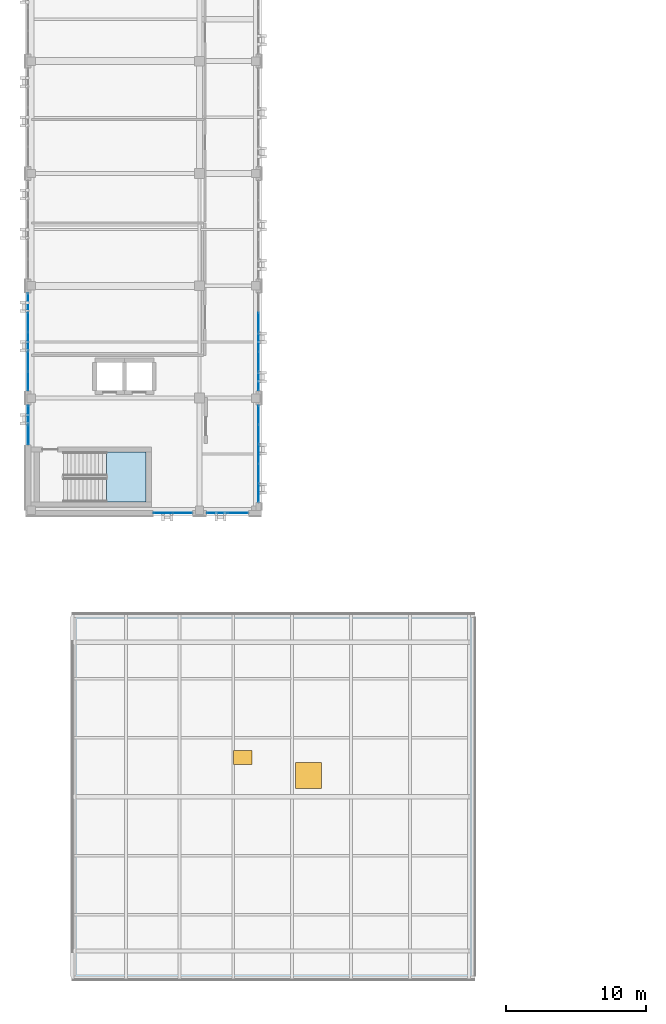
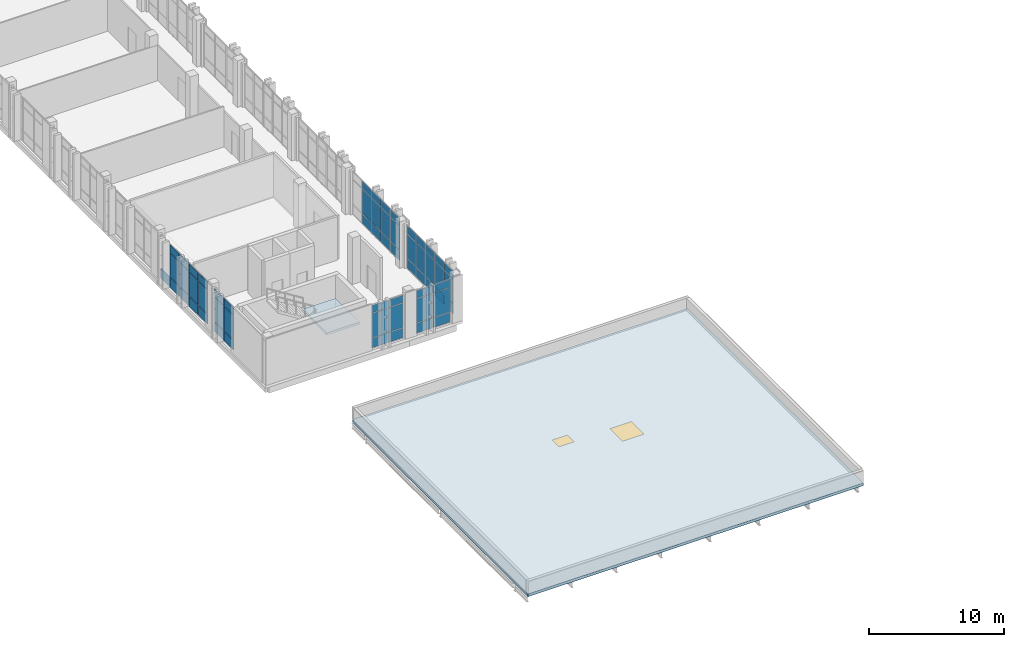
# One storey, part 58 of 90: 58 plates, 2 slabs, 1 door, 1 window, 2 openings, 7 elements without a shape of their own.
"""IFC4 building model written with IfcOpenShell, lengths in metres."""

from ifc_helpers import new_model, si_unit, direction, frame, origin, origin_2d, place, context, subcontext, project, spatial, polyline, rectangle, outline, extrude, material, layer, layer_set, type_object, element, fill, aggregate, save


model = new_model("IFC4")

# Units and contexts
model_context = context("Model", 3, precision=1e-05, world=origin(), true_north=direction((0.0, 1.0)))
body_context = subcontext(model_context, "Body", "Model", "MODEL_VIEW")
ifc_project = project(units=[si_unit("LENGTHUNIT", "METRE"), si_unit("AREAUNIT", "SQUARE_METRE"), si_unit("VOLUMEUNIT", "CUBIC_METRE"), si_unit("PLANEANGLEUNIT", "RADIAN"), si_unit("MASSUNIT", "GRAM", prefix="KILO")], contexts=[model_context])

# Site, building, storey
site_placement = place(None, origin())
site = spatial("IfcSite", under=ifc_project, at=site_placement, CompositionType="ELEMENT")
building_placement = place(site_placement, origin())
building = spatial("IfcBuilding", under=site, at=building_placement, Name="Qalavern Law Courts", CompositionType="ELEMENT")
storey_placement = place(building_placement, frame((0.0, 0.0, 22.800048828125)))
storey = spatial("IfcBuildingStorey", under=building, at=storey_placement, Name="L05", CompositionType="ELEMENT", Elevation=22.800048828125)

# Curtain wall, plates
ifc_material_1 = material(Name="Anodised aluminium and insulated glazing", Category="aluminium")
ifc_layer_1 = layer(ifc_material_1, 0.159912109375)
ifc_layer_set_1 = layer_set([ifc_layer_1], Name="Anodised aluminium and insulated glazing")
curtain_wall_type = type_object("IfcCurtainWallType", Name="ENV-CW-CHAMB", PredefinedType="USERDEFINED", material=ifc_layer_set_1)
curtain_wall_1_placement = place(storey_placement, origin())
curtain_wall_1 = element("IfcCurtainWall", 1, at=curtain_wall_1_placement, inside=storey, type_object=curtain_wall_type, Name="V3 unitised curtain wall L05 south 1", ObjectType="UNITISED CURTAIN WALL", PredefinedType="USERDEFINED")
ifc_material_2 = material(Name="Insulated low-E acoustic glazing", Category="glass")
ifc_layer_2 = layer(ifc_material_2, 0.028076171875)
ifc_layer_set_2 = layer_set([ifc_layer_2], Name="Insulated low-E acoustic glazing")
plate_type_1 = type_object("IfcPlateType", Name="ENV-CWP-28", PredefinedType="CURTAIN_PANEL", material=ifc_layer_set_2)
plate_1_placement = place(storey_placement, frame((11.81201171875, 41.21240234375, 0.048095703125), z_axis=(0.0, 0.0, 1.0), x_axis=(1.0, 0.0, 0.0)))
plate_1 = element("IfcPlate", 2, at=plate_1_placement, type_object=plate_type_1, Name="CW-04 panel 1.1", PredefinedType="CURTAIN_PANEL", context=body_context, shape_type="SweptSolid", body=[
    extrude(rectangle(XDim=1.327880859375, YDim=0.028076171875, at=origin_2d()), origin(), (0.0, 0.0, 1.0), 0.8779296875),
])
plate_2_placement = place(storey_placement, frame((11.81201171875, 41.21240234375, 0.97412109375), z_axis=(0.0, 0.0, 1.0), x_axis=(1.0, 0.0, 0.0)))
plate_2 = element("IfcPlate", 3, at=plate_2_placement, type_object=plate_type_1, Name="CW-04 panel 1.2", PredefinedType="CURTAIN_PANEL", context=body_context, shape_type="SweptSolid", body=[
    extrude(rectangle(XDim=1.327880859375, YDim=0.028076171875, at=origin_2d()), origin(), (0.0, 0.0, 1.0), 2.181884765625),
])
plate_3_placement = place(storey_placement, frame((11.81201171875, 41.21240234375, 3.2041015625), z_axis=(0.0, 0.0, 1.0), x_axis=(1.0, 0.0, 0.0)))
plate_3 = element("IfcPlate", 4, at=plate_3_placement, type_object=plate_type_1, Name="CW-04 panel 1.3", PredefinedType="CURTAIN_PANEL", context=body_context, shape_type="SweptSolid", body=[
    extrude(rectangle(XDim=1.327880859375, YDim=0.028076171875, at=origin_2d()), origin(), (0.0, 0.0, 1.0), 0.677978515625),
])
plate_4_placement = place(storey_placement, frame((13.18798828125, 41.21240234375, 0.048095703125), z_axis=(0.0, 0.0, 1.0), x_axis=(1.0, 0.0, 0.0)))
plate_4 = element("IfcPlate", 5, at=plate_4_placement, type_object=plate_type_1, Name="CW-04 panel 2.1", PredefinedType="CURTAIN_PANEL", context=body_context, shape_type="SweptSolid", body=[
    extrude(rectangle(XDim=1.327880859375, YDim=0.028076171875, at=origin_2d()), origin(), (0.0, 0.0, 1.0), 0.8779296875),
])
plate_5_placement = place(storey_placement, frame((13.18798828125, 41.21240234375, 0.97412109375), z_axis=(0.0, 0.0, 1.0), x_axis=(1.0, 0.0, 0.0)))
plate_5 = element("IfcPlate", 6, at=plate_5_placement, type_object=plate_type_1, Name="CW-04 panel 2.2", PredefinedType="CURTAIN_PANEL", context=body_context, shape_type="SweptSolid", body=[
    extrude(rectangle(XDim=1.327880859375, YDim=0.028076171875, at=origin_2d()), origin(), (0.0, 0.0, 1.0), 2.181884765625),
])
plate_6_placement = place(storey_placement, frame((13.18798828125, 41.21240234375, 3.2041015625), z_axis=(0.0, 0.0, 1.0), x_axis=(1.0, 0.0, 0.0)))
plate_6 = element("IfcPlate", 7, at=plate_6_placement, type_object=plate_type_1, Name="CW-04 panel 2.3", PredefinedType="CURTAIN_PANEL", context=body_context, shape_type="SweptSolid", body=[
    extrude(rectangle(XDim=1.327880859375, YDim=0.028076171875, at=origin_2d()), origin(), (0.0, 0.0, 1.0), 0.677978515625),
])
aggregate(curtain_wall_1, [plate_1, plate_2, plate_3, plate_4, plate_5, plate_6])

curtain_wall_2_placement = place(storey_placement, origin())
curtain_wall_2 = element("IfcCurtainWall", 8, at=curtain_wall_2_placement, inside=storey, type_object=curtain_wall_type, Name="V3 unitised curtain wall L05 east 1", ObjectType="UNITISED CURTAIN WALL", PredefinedType="USERDEFINED")
plate_7_placement = place(storey_placement, frame((18.607421875, 42.656982421875, 0.048095703125), z_axis=(0.0, 0.0, 1.0), x_axis=(0.0, 1.0, 0.0)))
plate_7 = element("IfcPlate", 9, at=plate_7_placement, type_object=plate_type_1, Name="CW-04 panel 1.1", PredefinedType="CURTAIN_PANEL", context=body_context, shape_type="SweptSolid", body=[
    extrude(rectangle(XDim=1.318115234375, YDim=0.028076171875, at=origin_2d()), origin(), (0.0, 0.0, 1.0), 0.8779296875),
])
plate_8_placement = place(storey_placement, frame((18.607421875, 42.656982421875, 0.97412109375), z_axis=(0.0, 0.0, 1.0), x_axis=(0.0, 1.0, 0.0)))
plate_8 = element("IfcPlate", 10, at=plate_8_placement, type_object=plate_type_1, Name="CW-04 panel 1.2", PredefinedType="CURTAIN_PANEL", context=body_context, shape_type="SweptSolid", body=[
    extrude(rectangle(XDim=1.318115234375, YDim=0.028076171875, at=origin_2d()), origin(), (0.0, 0.0, 1.0), 2.181884765625),
])
plate_9_placement = place(storey_placement, frame((18.607421875, 42.656982421875, 3.2041015625), z_axis=(0.0, 0.0, 1.0), x_axis=(0.0, 1.0, 0.0)))
plate_9 = element("IfcPlate", 11, at=plate_9_placement, type_object=plate_type_1, Name="CW-04 panel 1.3", PredefinedType="CURTAIN_PANEL", context=body_context, shape_type="SweptSolid", body=[
    extrude(rectangle(XDim=1.318115234375, YDim=0.028076171875, at=origin_2d()), origin(), (0.0, 0.0, 1.0), 0.677978515625),
])
plate_10_placement = place(storey_placement, frame((18.607421875, 44.034912109375, 0.048095703125), z_axis=(0.0, 0.0, 1.0), x_axis=(0.0, 1.0, 0.0)))
plate_10 = element("IfcPlate", 12, at=plate_10_placement, type_object=plate_type_1, Name="CW-04 panel 2.1", PredefinedType="CURTAIN_PANEL", context=body_context, shape_type="SweptSolid", body=[
    extrude(rectangle(XDim=1.342041015625, YDim=0.028076171875, at=origin_2d()), origin(), (0.0, 0.0, 1.0), 0.8779296875),
])
plate_11_placement = place(storey_placement, frame((18.607421875, 44.034912109375, 0.97412109375), z_axis=(0.0, 0.0, 1.0), x_axis=(0.0, 1.0, 0.0)))
plate_11 = element("IfcPlate", 13, at=plate_11_placement, type_object=plate_type_1, Name="CW-04 panel 2.2", PredefinedType="CURTAIN_PANEL", context=body_context, shape_type="SweptSolid", body=[
    extrude(rectangle(XDim=1.342041015625, YDim=0.028076171875, at=origin_2d()), origin(), (0.0, 0.0, 1.0), 2.181884765625),
])
plate_12_placement = place(storey_placement, frame((18.607421875, 44.034912109375, 3.2041015625), z_axis=(0.0, 0.0, 1.0), x_axis=(0.0, 1.0, 0.0)))
plate_12 = element("IfcPlate", 14, at=plate_12_placement, type_object=plate_type_1, Name="CW-04 panel 2.3", PredefinedType="CURTAIN_PANEL", context=body_context, shape_type="SweptSolid", body=[
    extrude(rectangle(XDim=1.342041015625, YDim=0.028076171875, at=origin_2d()), origin(), (0.0, 0.0, 1.0), 0.677978515625),
])
plate_13_placement = place(storey_placement, frame((18.607421875, 45.425048828125, 0.048095703125), z_axis=(0.0, 0.0, 1.0), x_axis=(0.0, 1.0, 0.0)))
plate_13 = element("IfcPlate", 15, at=plate_13_placement, type_object=plate_type_1, Name="CW-04 panel 3.1", PredefinedType="CURTAIN_PANEL", context=body_context, shape_type="SweptSolid", body=[
    extrude(rectangle(XDim=1.342041015625, YDim=0.028076171875, at=origin_2d()), origin(), (0.0, 0.0, 1.0), 0.8779296875),
])
plate_14_placement = place(storey_placement, frame((18.607421875, 45.425048828125, 0.97412109375), z_axis=(0.0, 0.0, 1.0), x_axis=(0.0, 1.0, 0.0)))
plate_14 = element("IfcPlate", 16, at=plate_14_placement, type_object=plate_type_1, Name="CW-04 panel 3.2", PredefinedType="CURTAIN_PANEL", context=body_context, shape_type="SweptSolid", body=[
    extrude(rectangle(XDim=1.342041015625, YDim=0.028076171875, at=origin_2d()), origin(), (0.0, 0.0, 1.0), 2.181884765625),
])
plate_15_placement = place(storey_placement, frame((18.607421875, 45.425048828125, 3.2041015625), z_axis=(0.0, 0.0, 1.0), x_axis=(0.0, 1.0, 0.0)))
plate_15 = element("IfcPlate", 17, at=plate_15_placement, type_object=plate_type_1, Name="CW-04 panel 3.3", PredefinedType="CURTAIN_PANEL", context=body_context, shape_type="SweptSolid", body=[
    extrude(rectangle(XDim=1.342041015625, YDim=0.028076171875, at=origin_2d()), origin(), (0.0, 0.0, 1.0), 0.677978515625),
])
plate_16_placement = place(storey_placement, frame((18.607421875, 46.81494140625, 0.048095703125), z_axis=(0.0, 0.0, 1.0), x_axis=(0.0, 1.0, 0.0)))
plate_16 = element("IfcPlate", 18, at=plate_16_placement, type_object=plate_type_1, Name="CW-04 panel 4.1", PredefinedType="CURTAIN_PANEL", context=body_context, shape_type="SweptSolid", body=[
    extrude(rectangle(XDim=1.342041015625, YDim=0.028076171875, at=origin_2d()), origin(), (0.0, 0.0, 1.0), 0.8779296875),
])
plate_17_placement = place(storey_placement, frame((18.607421875, 46.81494140625, 0.97412109375), z_axis=(0.0, 0.0, 1.0), x_axis=(0.0, 1.0, 0.0)))
plate_17 = element("IfcPlate", 19, at=plate_17_placement, type_object=plate_type_1, Name="CW-04 panel 4.2", PredefinedType="CURTAIN_PANEL", context=body_context, shape_type="SweptSolid", body=[
    extrude(rectangle(XDim=1.342041015625, YDim=0.028076171875, at=origin_2d()), origin(), (0.0, 0.0, 1.0), 2.181884765625),
])
plate_18_placement = place(storey_placement, frame((18.607421875, 46.81494140625, 3.2041015625), z_axis=(0.0, 0.0, 1.0), x_axis=(0.0, 1.0, 0.0)))
plate_18 = element("IfcPlate", 20, at=plate_18_placement, type_object=plate_type_1, Name="CW-04 panel 4.3", PredefinedType="CURTAIN_PANEL", context=body_context, shape_type="SweptSolid", body=[
    extrude(rectangle(XDim=1.342041015625, YDim=0.028076171875, at=origin_2d()), origin(), (0.0, 0.0, 1.0), 0.677978515625),
])
plate_19_placement = place(storey_placement, frame((18.607421875, 48.193115234375, 0.048095703125), z_axis=(0.0, 0.0, 1.0), x_axis=(0.0, 1.0, 0.0)))
plate_19 = element("IfcPlate", 21, at=plate_19_placement, type_object=plate_type_1, Name="CW-04 panel 5.1", PredefinedType="CURTAIN_PANEL", context=body_context, shape_type="SweptSolid", body=[
    extrude(rectangle(XDim=1.318115234375, YDim=0.028076171875, at=origin_2d()), origin(), (0.0, 0.0, 1.0), 0.8779296875),
])
plate_20_placement = place(storey_placement, frame((18.607421875, 48.193115234375, 0.97412109375), z_axis=(0.0, 0.0, 1.0), x_axis=(0.0, 1.0, 0.0)))
plate_20 = element("IfcPlate", 22, at=plate_20_placement, type_object=plate_type_1, Name="CW-04 panel 5.2", PredefinedType="CURTAIN_PANEL", context=body_context, shape_type="SweptSolid", body=[
    extrude(rectangle(XDim=1.318115234375, YDim=0.028076171875, at=origin_2d()), origin(), (0.0, 0.0, 1.0), 2.181884765625),
])
plate_21_placement = place(storey_placement, frame((18.607421875, 48.193115234375, 3.2041015625), z_axis=(0.0, 0.0, 1.0), x_axis=(0.0, 1.0, 0.0)))
plate_21 = element("IfcPlate", 23, at=plate_21_placement, type_object=plate_type_1, Name="CW-04 panel 5.3", PredefinedType="CURTAIN_PANEL", context=body_context, shape_type="SweptSolid", body=[
    extrude(rectangle(XDim=1.318115234375, YDim=0.028076171875, at=origin_2d()), origin(), (0.0, 0.0, 1.0), 0.677978515625),
])
aggregate(curtain_wall_2, [plate_7, plate_8, plate_9, plate_10, plate_11, plate_12, plate_13, plate_14, plate_15, plate_16, plate_17, plate_18, plate_19, plate_20, plate_21])

curtain_wall_3_placement = place(storey_placement, origin())
curtain_wall_3 = element("IfcCurtainWall", 24, at=curtain_wall_3_placement, inside=storey, type_object=curtain_wall_type, Name="V3 unitised curtain wall L05 south 2", ObjectType="UNITISED CURTAIN WALL", PredefinedType="USERDEFINED")
ifc_layer_3 = layer(ifc_material_2, 0.031982421875)
ifc_layer_set_3 = layer_set([ifc_layer_3], Name="Insulated low-E acoustic glazing")
plate_type_2 = type_object("IfcPlateType", Name="ENV-CWP-32", PredefinedType="CURTAIN_PANEL", material=ifc_layer_set_3)
plate_22_placement = place(storey_placement, frame((15.662109375, 41.21240234375, 0.048095703125), z_axis=(0.0, 0.0, 1.0), x_axis=(1.0, 0.0, 0.0)))
plate_22 = element("IfcPlate", 25, at=plate_22_placement, type_object=plate_type_2, Name="CW-04 panel 1.1", PredefinedType="CURTAIN_PANEL", context=body_context, shape_type="SweptSolid", body=[
    extrude(rectangle(XDim=1.427978515625, YDim=0.031982421875, at=origin_2d()), origin(), (0.0, 0.0, 1.0), 0.8779296875),
])
plate_23_placement = place(storey_placement, frame((15.662109375, 41.21240234375, 0.97412109375), z_axis=(0.0, 0.0, 1.0), x_axis=(1.0, 0.0, 0.0)))
plate_23 = element("IfcPlate", 26, at=plate_23_placement, type_object=plate_type_2, Name="CW-04 panel 1.2", PredefinedType="CURTAIN_PANEL", context=body_context, shape_type="SweptSolid", body=[
    extrude(rectangle(XDim=1.427978515625, YDim=0.031982421875, at=origin_2d()), origin(), (0.0, 0.0, 1.0), 2.181884765625),
])
plate_24_placement = place(storey_placement, frame((15.662109375, 41.21240234375, 3.2041015625), z_axis=(0.0, 0.0, 1.0), x_axis=(1.0, 0.0, 0.0)))
plate_24 = element("IfcPlate", 27, at=plate_24_placement, type_object=plate_type_2, Name="CW-04 panel 1.3", PredefinedType="CURTAIN_PANEL", context=body_context, shape_type="SweptSolid", body=[
    extrude(rectangle(XDim=1.427978515625, YDim=0.031982421875, at=origin_2d()), origin(), (0.0, 0.0, 1.0), 0.677978515625),
])
plate_25_placement = place(storey_placement, frame((17.137939453125, 41.21240234375, 0.048095703125), z_axis=(0.0, 0.0, 1.0), x_axis=(1.0, 0.0, 0.0)))
plate_25 = element("IfcPlate", 28, at=plate_25_placement, type_object=plate_type_2, Name="CW-04 panel 2.1", PredefinedType="CURTAIN_PANEL", context=body_context, shape_type="SweptSolid", body=[
    extrude(rectangle(XDim=1.427978515625, YDim=0.031982421875, at=origin_2d()), origin(), (0.0, 0.0, 1.0), 0.8779296875),
])
plate_26_placement = place(storey_placement, frame((17.137939453125, 41.21240234375, 0.97412109375), z_axis=(0.0, 0.0, 1.0), x_axis=(1.0, 0.0, 0.0)))
plate_26 = element("IfcPlate", 29, at=plate_26_placement, type_object=plate_type_2, Name="CW-04 panel 2.2", PredefinedType="CURTAIN_PANEL", context=body_context, shape_type="SweptSolid", body=[
    extrude(rectangle(XDim=1.427978515625, YDim=0.031982421875, at=origin_2d()), origin(), (0.0, 0.0, 1.0), 2.181884765625),
])
plate_27_placement = place(storey_placement, frame((17.137939453125, 41.21240234375, 3.2041015625), z_axis=(0.0, 0.0, 1.0), x_axis=(1.0, 0.0, 0.0)))
plate_27 = element("IfcPlate", 30, at=plate_27_placement, type_object=plate_type_2, Name="CW-04 panel 2.3", PredefinedType="CURTAIN_PANEL", context=body_context, shape_type="SweptSolid", body=[
    extrude(rectangle(XDim=1.427978515625, YDim=0.031982421875, at=origin_2d()), origin(), (0.0, 0.0, 1.0), 0.677978515625),
])
aggregate(curtain_wall_3, [plate_22, plate_23, plate_24, plate_25, plate_26, plate_27])

curtain_wall_4_placement = place(storey_placement, origin())
curtain_wall_4 = element("IfcCurtainWall", 31, at=curtain_wall_4_placement, inside=storey, type_object=curtain_wall_type, Name="V3 unitised curtain wall L05 east 2", ObjectType="UNITISED CURTAIN WALL", PredefinedType="USERDEFINED")
plate_28_placement = place(storey_placement, frame((18.607421875, 50.612060546875, 0.048095703125), z_axis=(0.0, 0.0, 1.0), x_axis=(0.0, 1.0, 0.0)))
plate_28 = element("IfcPlate", 32, at=plate_28_placement, type_object=plate_type_2, Name="CW-04 panel 1.1", PredefinedType="CURTAIN_PANEL", context=body_context, shape_type="SweptSolid", body=[
    extrude(rectangle(XDim=1.327880859375, YDim=0.031982421875, at=origin_2d()), origin(), (0.0, 0.0, 1.0), 0.8779296875),
])
plate_29_placement = place(storey_placement, frame((18.607421875, 50.612060546875, 0.97412109375), z_axis=(0.0, 0.0, 1.0), x_axis=(0.0, 1.0, 0.0)))
plate_29 = element("IfcPlate", 33, at=plate_29_placement, type_object=plate_type_2, Name="CW-04 panel 1.2", PredefinedType="CURTAIN_PANEL", context=body_context, shape_type="SweptSolid", body=[
    extrude(rectangle(XDim=1.327880859375, YDim=0.031982421875, at=origin_2d()), origin(), (0.0, 0.0, 1.0), 2.181884765625),
])
plate_30_placement = place(storey_placement, frame((18.607421875, 50.612060546875, 3.2041015625), z_axis=(0.0, 0.0, 1.0), x_axis=(0.0, 1.0, 0.0)))
plate_30 = element("IfcPlate", 34, at=plate_30_placement, type_object=plate_type_2, Name="CW-04 panel 1.3", PredefinedType="CURTAIN_PANEL", context=body_context, shape_type="SweptSolid", body=[
    extrude(rectangle(XDim=1.327880859375, YDim=0.031982421875, at=origin_2d()), origin(), (0.0, 0.0, 1.0), 0.677978515625),
])
plate_31_placement = place(storey_placement, frame((18.607421875, 52.0, 0.048095703125), z_axis=(0.0, 0.0, 1.0), x_axis=(0.0, 1.0, 0.0)))
plate_31 = element("IfcPlate", 35, at=plate_31_placement, type_object=plate_type_2, Name="CW-04 panel 2.1", PredefinedType="CURTAIN_PANEL", context=body_context, shape_type="SweptSolid", body=[
    extrude(rectangle(XDim=1.35205078125, YDim=0.031982421875, at=origin_2d()), origin(), (0.0, 0.0, 1.0), 0.8779296875),
])
plate_32_placement = place(storey_placement, frame((18.607421875, 52.0, 0.97412109375), z_axis=(0.0, 0.0, 1.0), x_axis=(0.0, 1.0, 0.0)))
plate_32 = element("IfcPlate", 36, at=plate_32_placement, type_object=plate_type_2, Name="CW-04 panel 2.2", PredefinedType="CURTAIN_PANEL", context=body_context, shape_type="SweptSolid", body=[
    extrude(rectangle(XDim=1.35205078125, YDim=0.031982421875, at=origin_2d()), origin(), (0.0, 0.0, 1.0), 2.181884765625),
])
plate_33_placement = place(storey_placement, frame((18.607421875, 52.0, 3.2041015625), z_axis=(0.0, 0.0, 1.0), x_axis=(0.0, 1.0, 0.0)))
plate_33 = element("IfcPlate", 37, at=plate_33_placement, type_object=plate_type_2, Name="CW-04 panel 2.3", PredefinedType="CURTAIN_PANEL", context=body_context, shape_type="SweptSolid", body=[
    extrude(rectangle(XDim=1.35205078125, YDim=0.031982421875, at=origin_2d()), origin(), (0.0, 0.0, 1.0), 0.677978515625),
])
plate_34_placement = place(storey_placement, frame((18.607421875, 53.39990234375, 0.048095703125), z_axis=(0.0, 0.0, 1.0), x_axis=(0.0, 1.0, 0.0)))
plate_34 = element("IfcPlate", 38, at=plate_34_placement, type_object=plate_type_2, Name="CW-04 panel 3.1", PredefinedType="CURTAIN_PANEL", context=body_context, shape_type="SweptSolid", body=[
    extrude(rectangle(XDim=1.35205078125, YDim=0.031982421875, at=origin_2d()), origin(), (0.0, 0.0, 1.0), 0.8779296875),
])
plate_35_placement = place(storey_placement, frame((18.607421875, 53.39990234375, 0.97412109375), z_axis=(0.0, 0.0, 1.0), x_axis=(0.0, 1.0, 0.0)))
plate_35 = element("IfcPlate", 39, at=plate_35_placement, type_object=plate_type_2, Name="CW-04 panel 3.2", PredefinedType="CURTAIN_PANEL", context=body_context, shape_type="SweptSolid", body=[
    extrude(rectangle(XDim=1.35205078125, YDim=0.031982421875, at=origin_2d()), origin(), (0.0, 0.0, 1.0), 2.181884765625),
])
plate_36_placement = place(storey_placement, frame((18.607421875, 53.39990234375, 3.2041015625), z_axis=(0.0, 0.0, 1.0), x_axis=(0.0, 1.0, 0.0)))
plate_36 = element("IfcPlate", 40, at=plate_36_placement, type_object=plate_type_2, Name="CW-04 panel 3.3", PredefinedType="CURTAIN_PANEL", context=body_context, shape_type="SweptSolid", body=[
    extrude(rectangle(XDim=1.35205078125, YDim=0.031982421875, at=origin_2d()), origin(), (0.0, 0.0, 1.0), 0.677978515625),
])
plate_37_placement = place(storey_placement, frame((18.607421875, 54.800048828125, 0.048095703125), z_axis=(0.0, 0.0, 1.0), x_axis=(0.0, 1.0, 0.0)))
plate_37 = element("IfcPlate", 41, at=plate_37_placement, type_object=plate_type_2, Name="CW-04 panel 4.1", PredefinedType="CURTAIN_PANEL", context=body_context, shape_type="SweptSolid", body=[
    extrude(rectangle(XDim=1.35205078125, YDim=0.031982421875, at=origin_2d()), origin(), (0.0, 0.0, 1.0), 0.8779296875),
])
plate_38_placement = place(storey_placement, frame((18.607421875, 54.800048828125, 0.97412109375), z_axis=(0.0, 0.0, 1.0), x_axis=(0.0, 1.0, 0.0)))
plate_38 = element("IfcPlate", 42, at=plate_38_placement, type_object=plate_type_2, Name="CW-04 panel 4.2", PredefinedType="CURTAIN_PANEL", context=body_context, shape_type="SweptSolid", body=[
    extrude(rectangle(XDim=1.35205078125, YDim=0.031982421875, at=origin_2d()), origin(), (0.0, 0.0, 1.0), 2.181884765625),
])
plate_39_placement = place(storey_placement, frame((18.607421875, 54.800048828125, 3.2041015625), z_axis=(0.0, 0.0, 1.0), x_axis=(0.0, 1.0, 0.0)))
plate_39 = element("IfcPlate", 43, at=plate_39_placement, type_object=plate_type_2, Name="CW-04 panel 4.3", PredefinedType="CURTAIN_PANEL", context=body_context, shape_type="SweptSolid", body=[
    extrude(rectangle(XDim=1.35205078125, YDim=0.031982421875, at=origin_2d()), origin(), (0.0, 0.0, 1.0), 0.677978515625),
])
aggregate(curtain_wall_4, [plate_28, plate_29, plate_30, plate_31, plate_32, plate_33, plate_34, plate_35, plate_36, plate_37, plate_38, plate_39])

curtain_wall_5_placement = place(storey_placement, origin())
curtain_wall_5 = element("IfcCurtainWall", 44, at=curtain_wall_5_placement, inside=storey, type_object=curtain_wall_type, Name="V3 unitised curtain wall L05 west 6", ObjectType="UNITISED CURTAIN WALL", PredefinedType="USERDEFINED")
ifc_layer_4 = layer(ifc_material_2, 0.048095703125)
ifc_layer_set_4 = layer_set([ifc_layer_4], Name="Insulated low-E acoustic glazing")
plate_type_3 = type_object("IfcPlateType", Name="ENV-CWP-48", PredefinedType="CURTAIN_PANEL", material=ifc_layer_set_4)
plate_40_placement = place(storey_placement, frame((2.1923828125, 56.18798828125, 0.048095703125), z_axis=(0.0, 0.0, 1.0), x_axis=(0.0, -1.0, 0.0)))
plate_40 = element("IfcPlate", 45, at=plate_40_placement, type_object=plate_type_3, Name="CW-04 panel 1.1", PredefinedType="CURTAIN_PANEL", context=body_context, shape_type="SweptSolid", body=[
    extrude(rectangle(XDim=1.327880859375, YDim=0.048095703125, at=origin_2d()), origin(), (0.0, 0.0, 1.0), 0.8779296875),
])
plate_41_placement = place(storey_placement, frame((2.1923828125, 54.800048828125, 0.048095703125), z_axis=(0.0, 0.0, 1.0), x_axis=(0.0, -1.0, 0.0)))
plate_41 = element("IfcPlate", 46, at=plate_41_placement, type_object=plate_type_3, Name="CW-04 panel 2.1", PredefinedType="CURTAIN_PANEL", context=body_context, shape_type="SweptSolid", body=[
    extrude(rectangle(XDim=1.35205078125, YDim=0.048095703125, at=origin_2d()), origin(), (0.0, 0.0, 1.0), 0.8779296875),
])
plate_42_placement = place(storey_placement, frame((2.1923828125, 54.800048828125, 0.97412109375), z_axis=(0.0, 0.0, 1.0), x_axis=(0.0, -1.0, 0.0)))
plate_42 = element("IfcPlate", 47, at=plate_42_placement, type_object=plate_type_3, Name="CW-04 panel 2.2", PredefinedType="CURTAIN_PANEL", context=body_context, shape_type="SweptSolid", body=[
    extrude(rectangle(XDim=1.35205078125, YDim=0.048095703125, at=origin_2d()), origin(), (0.0, 0.0, 1.0), 2.181884765625),
])
plate_43_placement = place(storey_placement, frame((2.1923828125, 54.800048828125, 3.2041015625), z_axis=(0.0, 0.0, 1.0), x_axis=(0.0, -1.0, 0.0)))
plate_43 = element("IfcPlate", 48, at=plate_43_placement, type_object=plate_type_3, Name="CW-04 panel 2.3", PredefinedType="CURTAIN_PANEL", context=body_context, shape_type="SweptSolid", body=[
    extrude(rectangle(XDim=1.35205078125, YDim=0.048095703125, at=origin_2d()), origin(), (0.0, 0.0, 1.0), 0.677978515625),
])
plate_44_placement = place(storey_placement, frame((2.1923828125, 53.39990234375, 0.048095703125), z_axis=(0.0, 0.0, 1.0), x_axis=(0.0, -1.0, 0.0)))
plate_44 = element("IfcPlate", 49, at=plate_44_placement, type_object=plate_type_3, Name="CW-04 panel 3.1", PredefinedType="CURTAIN_PANEL", context=body_context, shape_type="SweptSolid", body=[
    extrude(rectangle(XDim=1.35205078125, YDim=0.048095703125, at=origin_2d()), origin(), (0.0, 0.0, 1.0), 0.8779296875),
])
plate_45_placement = place(storey_placement, frame((2.1923828125, 53.39990234375, 0.97412109375), z_axis=(0.0, 0.0, 1.0), x_axis=(0.0, -1.0, 0.0)))
plate_45 = element("IfcPlate", 50, at=plate_45_placement, type_object=plate_type_3, Name="CW-04 panel 3.2", PredefinedType="CURTAIN_PANEL", context=body_context, shape_type="SweptSolid", body=[
    extrude(rectangle(XDim=1.35205078125, YDim=0.048095703125, at=origin_2d()), origin(), (0.0, 0.0, 1.0), 2.181884765625),
])
plate_46_placement = place(storey_placement, frame((2.1923828125, 53.39990234375, 3.2041015625), z_axis=(0.0, 0.0, 1.0), x_axis=(0.0, -1.0, 0.0)))
plate_46 = element("IfcPlate", 51, at=plate_46_placement, type_object=plate_type_3, Name="CW-04 panel 3.3", PredefinedType="CURTAIN_PANEL", context=body_context, shape_type="SweptSolid", body=[
    extrude(rectangle(XDim=1.35205078125, YDim=0.048095703125, at=origin_2d()), origin(), (0.0, 0.0, 1.0), 0.677978515625),
])
plate_47_placement = place(storey_placement, frame((2.1923828125, 52.0, 0.048095703125), z_axis=(0.0, 0.0, 1.0), x_axis=(0.0, -1.0, 0.0)))
plate_47 = element("IfcPlate", 52, at=plate_47_placement, type_object=plate_type_3, Name="CW-04 panel 4.1", PredefinedType="CURTAIN_PANEL", context=body_context, shape_type="SweptSolid", body=[
    extrude(rectangle(XDim=1.35205078125, YDim=0.048095703125, at=origin_2d()), origin(), (0.0, 0.0, 1.0), 0.8779296875),
])
plate_48_placement = place(storey_placement, frame((2.1923828125, 52.0, 0.97412109375), z_axis=(0.0, 0.0, 1.0), x_axis=(0.0, -1.0, 0.0)))
plate_48 = element("IfcPlate", 53, at=plate_48_placement, type_object=plate_type_3, Name="CW-04 panel 4.2", PredefinedType="CURTAIN_PANEL", context=body_context, shape_type="SweptSolid", body=[
    extrude(rectangle(XDim=1.35205078125, YDim=0.048095703125, at=origin_2d()), origin(), (0.0, 0.0, 1.0), 2.181884765625),
])
plate_49_placement = place(storey_placement, frame((2.1923828125, 52.0, 3.2041015625), z_axis=(0.0, 0.0, 1.0), x_axis=(0.0, -1.0, 0.0)))
plate_49 = element("IfcPlate", 54, at=plate_49_placement, type_object=plate_type_3, Name="CW-04 panel 4.3", PredefinedType="CURTAIN_PANEL", context=body_context, shape_type="SweptSolid", body=[
    extrude(rectangle(XDim=1.35205078125, YDim=0.048095703125, at=origin_2d()), origin(), (0.0, 0.0, 1.0), 0.677978515625),
])
plate_50_placement = place(storey_placement, frame((2.1923828125, 50.612060546875, 0.048095703125), z_axis=(0.0, 0.0, 1.0), x_axis=(0.0, -1.0, 0.0)))
plate_50 = element("IfcPlate", 55, at=plate_50_placement, type_object=plate_type_3, Name="CW-04 panel 5.1", PredefinedType="CURTAIN_PANEL", context=body_context, shape_type="SweptSolid", body=[
    extrude(rectangle(XDim=1.327880859375, YDim=0.048095703125, at=origin_2d()), origin(), (0.0, 0.0, 1.0), 0.8779296875),
])
plate_51_placement = place(storey_placement, frame((2.1923828125, 50.612060546875, 0.97412109375), z_axis=(0.0, 0.0, 1.0), x_axis=(0.0, -1.0, 0.0)))
plate_51 = element("IfcPlate", 56, at=plate_51_placement, type_object=plate_type_3, Name="CW-04 panel 5.2", PredefinedType="CURTAIN_PANEL", context=body_context, shape_type="SweptSolid", body=[
    extrude(rectangle(XDim=1.327880859375, YDim=0.048095703125, at=origin_2d()), origin(), (0.0, 0.0, 1.0), 2.181884765625),
])
plate_52_placement = place(storey_placement, frame((2.1923828125, 50.612060546875, 3.2041015625), z_axis=(0.0, 0.0, 1.0), x_axis=(0.0, -1.0, 0.0)))
plate_52 = element("IfcPlate", 57, at=plate_52_placement, type_object=plate_type_3, Name="CW-04 panel 5.3", PredefinedType="CURTAIN_PANEL", context=body_context, shape_type="SweptSolid", body=[
    extrude(rectangle(XDim=1.327880859375, YDim=0.048095703125, at=origin_2d()), origin(), (0.0, 0.0, 1.0), 0.677978515625),
])
aggregate(curtain_wall_5, [plate_40, plate_41, plate_42, plate_43, plate_44, plate_45, plate_46, plate_47, plate_48, plate_49, plate_50, plate_51, plate_52])

curtain_wall_6_placement = place(storey_placement, origin())
curtain_wall_6 = element("IfcCurtainWall", 58, at=curtain_wall_6_placement, inside=storey, type_object=curtain_wall_type, Name="V3 unitised curtain wall L05 west 7", ObjectType="UNITISED CURTAIN WALL", PredefinedType="USERDEFINED")
ifc_layer_5 = layer(ifc_material_2, 0.052001953125)
ifc_layer_set_5 = layer_set([ifc_layer_5], Name="Insulated low-E acoustic glazing")
plate_type_4 = type_object("IfcPlateType", Name="ENV-CWP-52", PredefinedType="CURTAIN_PANEL", material=ifc_layer_set_5)
plate_53_placement = place(storey_placement, frame((2.1923828125, 48.175537109375, 0.048095703125), z_axis=(0.0, 0.0, 1.0), x_axis=(0.0, -1.0, 0.0)))
plate_53 = element("IfcPlate", 59, at=plate_53_placement, type_object=plate_type_4, Name="CW-04 panel 1.1", PredefinedType="CURTAIN_PANEL", context=body_context, shape_type="SweptSolid", body=[
    extrude(rectangle(XDim=1.35302734375, YDim=0.052001953125, at=origin_2d()), origin(), (0.0, 0.0, 1.0), 0.8779296875),
])
plate_54_placement = place(storey_placement, frame((2.1923828125, 48.175537109375, 0.97412109375), z_axis=(0.0, 0.0, 1.0), x_axis=(0.0, -1.0, 0.0)))
plate_54 = element("IfcPlate", 60, at=plate_54_placement, type_object=plate_type_4, Name="CW-04 panel 1.2", PredefinedType="CURTAIN_PANEL", context=body_context, shape_type="SweptSolid", body=[
    extrude(rectangle(XDim=1.35302734375, YDim=0.052001953125, at=origin_2d()), origin(), (0.0, 0.0, 1.0), 2.181884765625),
])
plate_55_placement = place(storey_placement, frame((2.1923828125, 48.175537109375, 3.2041015625), z_axis=(0.0, 0.0, 1.0), x_axis=(0.0, -1.0, 0.0)))
plate_55 = element("IfcPlate", 61, at=plate_55_placement, type_object=plate_type_4, Name="CW-04 panel 1.3", PredefinedType="CURTAIN_PANEL", context=body_context, shape_type="SweptSolid", body=[
    extrude(rectangle(XDim=1.35302734375, YDim=0.052001953125, at=origin_2d()), origin(), (0.0, 0.0, 1.0), 0.677978515625),
])
plate_56_placement = place(storey_placement, frame((2.1923828125, 46.7744140625, 0.048095703125), z_axis=(0.0, 0.0, 1.0), x_axis=(0.0, -1.0, 0.0)))
plate_56 = element("IfcPlate", 62, at=plate_56_placement, type_object=plate_type_4, Name="CW-04 panel 2.1", PredefinedType="CURTAIN_PANEL", context=body_context, shape_type="SweptSolid", body=[
    extrude(rectangle(XDim=1.35302734375, YDim=0.052001953125, at=origin_2d()), origin(), (0.0, 0.0, 1.0), 0.8779296875),
])
plate_57_placement = place(storey_placement, frame((2.1923828125, 46.7744140625, 0.97412109375), z_axis=(0.0, 0.0, 1.0), x_axis=(0.0, -1.0, 0.0)))
plate_57 = element("IfcPlate", 63, at=plate_57_placement, type_object=plate_type_4, Name="CW-04 panel 2.2", PredefinedType="CURTAIN_PANEL", context=body_context, shape_type="SweptSolid", body=[
    extrude(rectangle(XDim=1.35302734375, YDim=0.052001953125, at=origin_2d()), origin(), (0.0, 0.0, 1.0), 2.181884765625),
])
plate_58_placement = place(storey_placement, frame((2.1923828125, 46.7744140625, 3.2041015625), z_axis=(0.0, 0.0, 1.0), x_axis=(0.0, -1.0, 0.0)))
plate_58 = element("IfcPlate", 64, at=plate_58_placement, type_object=plate_type_4, Name="CW-04 panel 2.3", PredefinedType="CURTAIN_PANEL", context=body_context, shape_type="SweptSolid", body=[
    extrude(rectangle(XDim=1.35302734375, YDim=0.052001953125, at=origin_2d()), origin(), (0.0, 0.0, 1.0), 0.677978515625),
])
aggregate(curtain_wall_6, [plate_53, plate_54, plate_55, plate_56, plate_57, plate_58])

# Stair, slab
ifc_material_3 = material(Name="Concrete C35/45", Category="concrete")
stair_type = type_object("IfcStairType", Name="INT-STAIR-1700", PredefinedType="HALF_TURN_STAIR", material=ifc_material_3)
stair_placement = place(storey_placement, origin())
stair = element("IfcStair", 65, at=stair_placement, inside=storey, type_object=stair_type, Name="L05 ST-K2", PredefinedType="HALF_TURN_STAIR")
ifc_layer_6 = layer(ifc_material_3, 0.199951171875)
ifc_layer_set_6 = layer_set([ifc_layer_6], Name="Concrete C35/45")
slab_type_1 = type_object("IfcSlabType", Name="INT-LANDING-200", PredefinedType="LANDING", material=ifc_layer_set_6)
slab_1_placement = place(storey_placement, frame((0.0, 0.0, 1.89990234375)))
slab_1 = element("IfcSlab", 66, at=slab_1_placement, type_object=slab_type_1, Name="ST-K2 landing 1", PredefinedType="LANDING", context=body_context, shape_type="SweptSolid", body=[
    extrude(outline(polyline([(7.780029296875, 42.0), (10.60009765625, 42.0), (10.60009765625, 45.550048828125), (7.780029296875, 45.550048828125), (7.780029296875, 42.0)])), origin(), (0.0, 0.0, 1.0), 0.199951171875),
])
aggregate(stair, [slab_1])

# Slab, openings, door, window
ifc_layer_7 = layer(ifc_material_3, 0.243896484375)
ifc_layer_set_7 = layer_set([ifc_layer_7], Name="Concrete C35/45")
slab_type_2 = type_object("IfcSlabType", Name="STR-ROOF-FLAT244", PredefinedType="ROOF", material=ifc_layer_set_7)
slab_2_placement = place(storey_placement, frame((0.0, 0.0, -0.244140625)))
slab_2 = element("IfcSlab", 67, at=slab_2_placement, inside=storey, type_object=slab_type_2, Name="V1 insulated flat roof slab L05", PredefinedType="ROOF", context=body_context, shape_type="SweptSolid", body=[
    extrude(outline(polyline([(5.35009765625, 8.0), (34.0, 8.0), (34.0, 34.0), (5.35009765625, 34.0), (5.35009765625, 8.0)])), origin(), (0.0, 0.0, 1.0), 0.244140625),
])
opening_1_placement = place(slab_2_placement, frame((17.47509765625, 23.800048828125, 0.0)))
opening_1 = element("IfcOpeningElement", 68, at=opening_1_placement, cuts=slab_2, Name="Opening RH-02", PredefinedType="OPENING", context=body_context, shape_type="SweptSolid", body=[
    extrude(rectangle(XDim=1.300048828125, YDim=1.0, at=origin_2d()), frame((0.0, 0.0, -0.014892578125)), (0.0, 0.0, 1.0), 0.27392578125),
])
opening_2_placement = place(slab_2_placement, frame((22.175048828125, 22.5, 0.0)))
opening_2 = element("IfcOpeningElement", 69, at=opening_2_placement, cuts=slab_2, Name="Opening SK-06", PredefinedType="OPENING", context=body_context, shape_type="SweptSolid", body=[
    extrude(rectangle(XDim=1.85009765625, YDim=1.85009765625, at=origin_2d()), frame((0.0, 0.0, -0.014892578125)), (0.0, 0.0, 1.0), 0.27392578125),
])
ifc_material_4 = material(Name="Thermally broken anodised aluminium and laminated safety glass", Category="aluminium")
door_type = type_object("IfcDoorType", Name="ENV-HT-1300x1000", OperationType="SINGLE_SWING_LEFT", PredefinedType="TRAPDOOR", material=ifc_material_4)
door_placement = place(opening_1_placement, frame((0.0, 0.0, 0.194091796875)))
door = element("IfcDoor", 70, at=door_placement, inside=storey, type_object=door_type, Name="V1 roof maintenance access hatch L05", OperationType="SINGLE_SWING_LEFT", OverallHeight=1.0, OverallWidth=1.300048828125, PredefinedType="TRAPDOOR", context=body_context, shape_type="SweptSolid", body=[
    extrude(rectangle(XDim=1.300048828125, YDim=1.0, at=origin_2d()), origin(), (0.0, 0.0, 1.0), 0.050048828125),
])
fill(opening_1, door)
ifc_material_5 = material(Name="Anodised aluminium skylight with laminated low-E glazing", Category="aluminium")
window_type = type_object("IfcWindowType", Name="ENV-SKY-1850x1850", PartitioningType="SINGLE_PANEL", PredefinedType="SKYLIGHT", material=ifc_material_5)
window_placement = place(opening_2_placement, frame((0.0, 0.0, 0.194091796875)))
window = element("IfcWindow", 71, at=window_placement, inside=storey, type_object=window_type, Name="V1 rooftop daylight skylight L05", OverallHeight=1.85009765625, OverallWidth=1.85009765625, PartitioningType="SINGLE_PANEL", PredefinedType="SKYLIGHT", context=body_context, shape_type="SweptSolid", body=[
    extrude(rectangle(XDim=1.85009765625, YDim=1.85009765625, at=origin_2d()), origin(), (0.0, 0.0, 1.0), 0.050048828125),
])
fill(opening_2, window)

save(model, "model.ifc")
